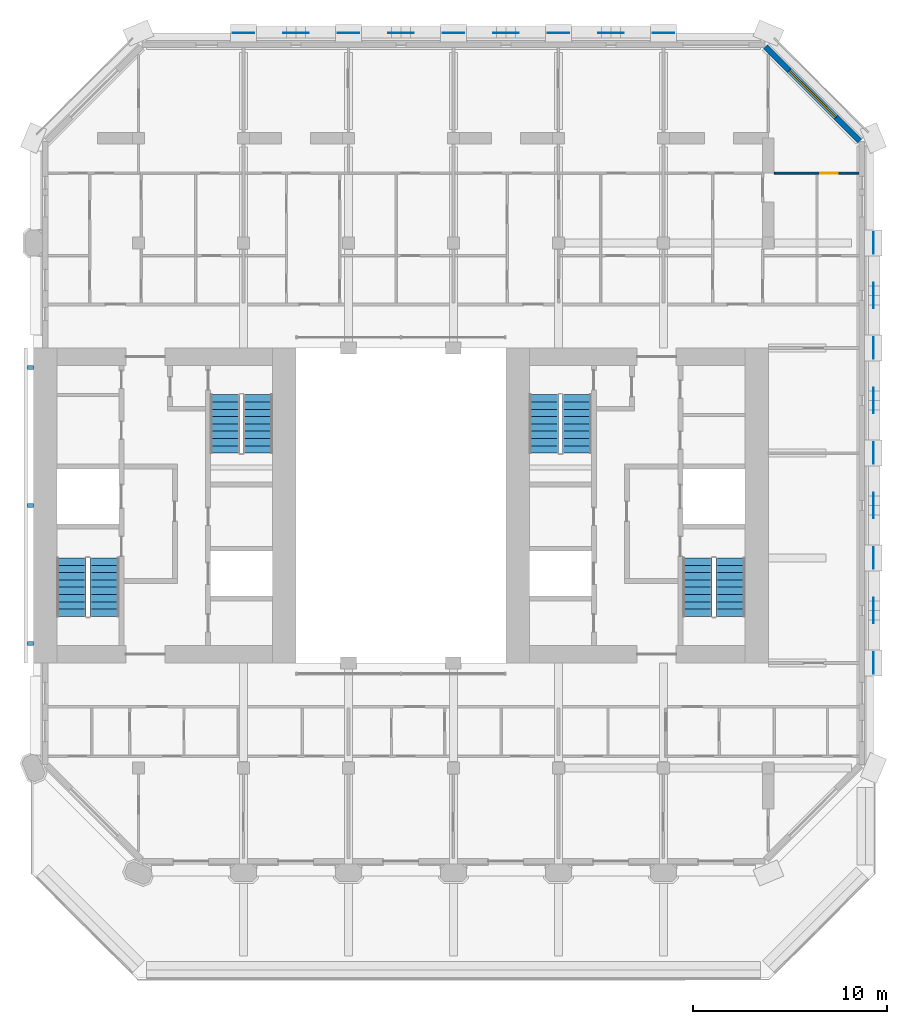
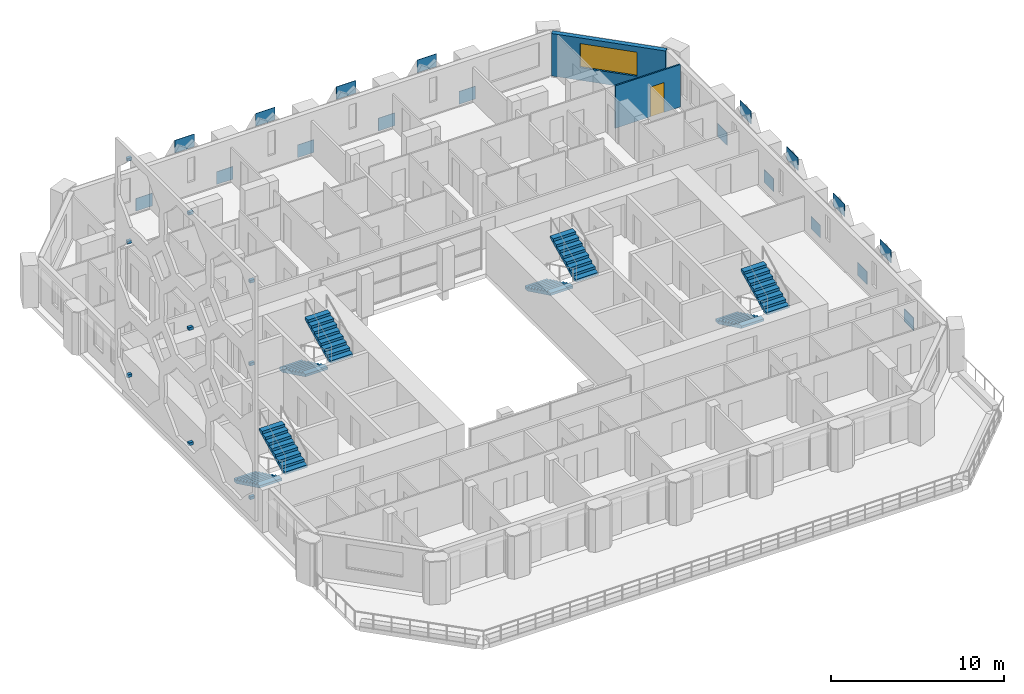
# One storey, part 14 of 17: 27 discrete accessories, 8 stair flights, 2 walls, 1 door, 1 window, 2 openings, 4 elements without a shape of their own.
"""IFC4 building model written with IfcOpenShell, lengths in metres."""

from ifc_helpers import new_model, si_unit, direction, frame, frame_2d, origin, origin_2d, place, context, subcontext, project, spatial, polyline, rectangle, outline, extrude, material, layer, layer_set, type_object, element, fill, aggregate, save


model = new_model("IFC4")

# Units and contexts
model_context = context("Model", 3, precision=1e-05, world=origin(), true_north=direction((0.0, 1.0)))
body_context = subcontext(model_context, "Body", "Model", "MODEL_VIEW")
ifc_project = project(units=[si_unit("LENGTHUNIT", "METRE"), si_unit("AREAUNIT", "SQUARE_METRE"), si_unit("VOLUMEUNIT", "CUBIC_METRE"), si_unit("PLANEANGLEUNIT", "RADIAN"), si_unit("MASSUNIT", "GRAM", prefix="KILO")], contexts=[model_context])

# Site, building, storey
site_placement = place(None, origin())
site = spatial("IfcSite", under=ifc_project, at=site_placement, CompositionType="ELEMENT")
building_placement = place(site_placement, origin())
building = spatial("IfcBuilding", under=site, at=building_placement, Name="Tabaq Tower and Sports Hall", CompositionType="ELEMENT")
storey_placement = place(building_placement, frame((0.0, 0.0, 288.39990234375)))
storey = spatial("IfcBuildingStorey", under=building, at=storey_placement, Name="L71", CompositionType="ELEMENT", Elevation=288.39990234375)

# Wall, opening, door
ifc_material_1 = material(Name="Gypsum board on steel studs", Category="steel")
ifc_layer_1 = layer(ifc_material_1, 0.10009765625)
ifc_layer_set_1 = layer_set([ifc_layer_1], Name="Partition 100 Gypsum board")
wall_type_1 = type_object("IfcWallType", Name="Partition 100 Gypsum board", PredefinedType="PARTITIONING", material=ifc_layer_set_1)
wall_1_placement = place(storey_placement, frame((43.5009765625, 41.39990234375, 0.0), z_axis=(0.0, 0.0, 1.0), x_axis=(1.0, 0.0, 0.0)))
wall_1 = element("IfcWall", 1, at=wall_1_placement, inside=storey, type_object=wall_type_1, Name="Partition wall L71", PredefinedType="PARTITIONING", context=body_context, shape_type="SweptSolid", body=[
    extrude(rectangle(XDim=4.34814453125, YDim=0.10009765625, at=frame_2d((2.174072265625, 0.0))), origin(), (0.0, 0.0, 1.0), 3.0),
])
opening_1_placement = place(wall_1_placement, frame((2.368896484375, 0.0, 0.0)))
opening_1 = element("IfcOpeningElement", 2, at=opening_1_placement, cuts=wall_1, Name="Opening L71-045", PredefinedType="OPENING", context=body_context, shape_type="SweptSolid", body=[
    extrude(rectangle(XDim=0.89990234375, YDim=2.10009765625, at=frame_2d((0.449951171875, 1.050048828125))), frame((0.0, 0.050048828125, 0.0), z_axis=(0.0, -1.0, 0.0), x_axis=(1.0, 0.0, 0.0)), (0.0, 0.0, 1.0), 0.10009765625),
])
ifc_material_2 = material(Name="Timber leaf in steel frame", Category="steel")
door_type = type_object("IfcDoorType", Name="Internal door 900 right hand", OperationType="SINGLE_SWING_RIGHT", PredefinedType="DOOR", material=ifc_material_2)
door_placement = place(opening_1_placement, origin())
door = element("IfcDoor", 3, at=door_placement, inside=storey, type_object=door_type, Name="Internal door L71-045", OperationType="SINGLE_SWING_RIGHT", OverallHeight=2.10009765625, OverallWidth=0.89990234375, PredefinedType="DOOR", context=body_context, shape_type="SweptSolid", body=[
    extrude(rectangle(XDim=0.89990234375, YDim=2.10009765625, at=frame_2d((0.449951171875, 1.050048828125))), frame((0.0, 0.02490234375, 0.0), z_axis=(0.0, -1.0, 0.0), x_axis=(1.0, 0.0, 0.0)), (0.0, 0.0, 1.0), 0.050048828125),
])
fill(opening_1, door)

# Wall, opening, window
ifc_material_3 = material(Name="White precast concrete C60/75", Category="concrete")
ifc_layer_2 = layer(ifc_material_3, 0.300048828125)
ifc_layer_set_2 = layer_set([ifc_layer_2], Name="White precast concrete C60/75 external wall 300")
wall_type_2 = type_object("IfcWallType", Name="White precast concrete C60/75 external wall 300", PredefinedType="SOLIDWALL", material=ifc_layer_set_2)
wall_2_placement = place(storey_placement, frame((47.901123046875, 43.050537109375, 0.0), z_axis=(0.0, 0.0, 1.0), x_axis=(-0.707106781187, 0.707106781187, 0.0)))
wall_2 = element("IfcWall", 4, at=wall_2_placement, inside=storey, type_object=wall_type_2, Name="External Wall L71 NE", PredefinedType="SOLIDWALL", context=body_context, shape_type="SweptSolid", body=[
    extrude(rectangle(XDim=6.85986328125, YDim=0.300048828125, at=frame_2d((3.429931640625, 0.0))), origin(), (0.0, 0.0, 1.0), 3.0),
])
opening_2_placement = place(wall_2_placement, frame((1.729736328125, 0.0, 0.89990234375)))
opening_2 = element("IfcOpeningElement", 5, at=opening_2_placement, cuts=wall_2, Name="Opening W1A", PredefinedType="OPENING", context=body_context, shape_type="SweptSolid", body=[
    extrude(rectangle(XDim=3.39990234375, YDim=1.699951171875, at=frame_2d((1.699951171875, 0.85009765625))), frame((0.0, 0.16015625, 0.0), z_axis=(0.0, -1.0, 0.0), x_axis=(1.0, 0.0, 0.0)), (0.0, 0.0, 1.0), 0.320068359375),
])
ifc_material_4 = material(Name="Aluminium framed clear glazing", Category="aluminium")
window_type = type_object("IfcWindowType", Name="Window W1A", PartitioningType="SINGLE_PANEL", PredefinedType="WINDOW", material=ifc_material_4)
window_placement = place(opening_2_placement, origin())
window = element("IfcWindow", 6, at=window_placement, inside=storey, type_object=window_type, Name="Window W1A L71", OverallHeight=1.699951171875, OverallWidth=3.39990234375, PartitioningType="SINGLE_PANEL", PredefinedType="WINDOW", context=body_context, shape_type="SweptSolid", body=[
    extrude(rectangle(XDim=3.39990234375, YDim=1.699951171875, at=frame_2d((1.699951171875, 0.85009765625))), frame((0.0, 0.030029296875, 0.0), z_axis=(0.0, -1.0, 0.0), x_axis=(1.0, 0.0, 0.0)), (0.0, 0.0, 1.0), 0.06005859375),
])
fill(opening_2, window)

# Stair, stair flights
ifc_material_5 = material(Name="Concrete C40/50", Category="concrete")
stair_type = type_object("IfcStairType", Name="Exit stair", PredefinedType="HALF_TURN_STAIR", material=ifc_material_5)
stair_1_placement = place(storey_placement, origin())
stair_1 = element("IfcStair", 7, at=stair_1_placement, inside=storey, type_object=stair_type, Name="L71 Exit stair ST1", PredefinedType="HALF_TURN_STAIR")
ifc_material_6 = material(Name="Concrete C40/50", Category="concrete")
stair_flight_type = type_object("IfcStairFlightType", Name="Exit stair flight", PredefinedType="STRAIGHT", material=ifc_material_6)
stair_flight_1_placement = place(storey_placement, frame((7.35009765625, 21.60009765625, 0.0), z_axis=(0.0, 0.0, 1.0), x_axis=(0.0, -1.0, 0.0)))
stair_flight_1 = element("IfcStairFlight", 8, at=stair_flight_1_placement, type_object=stair_flight_type, Name="ST1 flight 1", NumberOfRisers=9, NumberOfTreads=8, PredefinedType="STRAIGHT", RiserHeight=0.183333333, TreadLength=0.375, context=body_context, shape_type="SweptSolid", body=[
    extrude(outline(polyline([(0.0, 0.0), (0.0, 0.183349609375), (0.375, 0.183349609375), (0.375, 0.36669921875), (0.75, 0.36669921875), (0.75, 0.550048828125), (1.125, 0.550048828125), (1.125, 0.7333984375), (1.5, 0.7333984375), (1.5, 0.916748046875), (1.875, 0.916748046875), (1.875, 1.10009765625), (2.25, 1.10009765625), (2.25, 1.283447265625), (2.625, 1.283447265625), (2.625, 1.466552734375), (3.0, 1.466552734375), (3.0, 1.64990234375), (3.0, 1.2998046875), (0.34130859375, 0.0), (0.0, 0.0)])), frame((0.0, 0.75, 0.0), z_axis=(0.0, -1.0, 0.0), x_axis=(1.0, 0.0, 0.0)), (0.0, 0.0, 1.0), 1.5),
])
stair_flight_2_placement = place(storey_placement, frame((9.050048828125, 18.60009765625, 1.650146484375), z_axis=(0.0, 0.0, 1.0), x_axis=(0.0, 1.0, 0.0)))
stair_flight_2 = element("IfcStairFlight", 9, at=stair_flight_2_placement, type_object=stair_flight_type, Name="ST1 flight 2", NumberOfRisers=9, NumberOfTreads=8, PredefinedType="STRAIGHT", RiserHeight=0.183333333, TreadLength=0.375, context=body_context, shape_type="SweptSolid", body=[
    extrude(outline(polyline([(0.0, 0.0), (0.0, 0.183349609375), (0.375, 0.183349609375), (0.375, 0.36669921875), (0.75, 0.36669921875), (0.75, 0.550048828125), (1.125, 0.550048828125), (1.125, 0.7333984375), (1.5, 0.7333984375), (1.5, 0.916748046875), (1.875, 0.916748046875), (1.875, 1.10009765625), (2.25, 1.10009765625), (2.25, 1.283447265625), (2.625, 1.283447265625), (2.625, 1.466552734375), (3.0, 1.466552734375), (3.0, 1.64990234375), (3.0, 1.2998046875), (0.34130859375, 0.0), (0.0, 0.0)])), frame((0.0, 0.75, 0.0), z_axis=(0.0, -1.0, 0.0), x_axis=(1.0, 0.0, 0.0)), (0.0, 0.0, 1.0), 1.5),
])
aggregate(stair_1, [stair_flight_1, stair_flight_2])

stair_2_placement = place(storey_placement, origin())
stair_2 = element("IfcStair", 10, at=stair_2_placement, inside=storey, type_object=stair_type, Name="L71 Exit stair ST2", PredefinedType="HALF_TURN_STAIR")
stair_flight_3_placement = place(storey_placement, frame((15.25, 30.0, 0.0), z_axis=(0.0, 0.0, 1.0), x_axis=(0.0, -1.0, 0.0)))
stair_flight_3 = element("IfcStairFlight", 11, at=stair_flight_3_placement, type_object=stair_flight_type, Name="ST2 flight 1", NumberOfRisers=9, NumberOfTreads=8, PredefinedType="STRAIGHT", RiserHeight=0.183333333, TreadLength=0.375, context=body_context, shape_type="SweptSolid", body=[
    extrude(outline(polyline([(0.0, 0.0), (0.0, 0.183349609375), (0.375, 0.183349609375), (0.375, 0.36669921875), (0.75, 0.36669921875), (0.75, 0.550048828125), (1.125, 0.550048828125), (1.125, 0.7333984375), (1.5, 0.7333984375), (1.5, 0.916748046875), (1.875, 0.916748046875), (1.875, 1.10009765625), (2.25, 1.10009765625), (2.25, 1.283447265625), (2.625, 1.283447265625), (2.625, 1.466552734375), (3.0, 1.466552734375), (3.0, 1.64990234375), (3.0, 1.2998046875), (0.34130859375, 0.0), (0.0, 0.0)])), frame((0.0, 0.75, 0.0), z_axis=(0.0, -1.0, 0.0), x_axis=(1.0, 0.0, 0.0)), (0.0, 0.0, 1.0), 1.5),
])
stair_flight_4_placement = place(storey_placement, frame((16.949951171875, 27.0, 1.650146484375), z_axis=(0.0, 0.0, 1.0), x_axis=(0.0, 1.0, 0.0)))
stair_flight_4 = element("IfcStairFlight", 12, at=stair_flight_4_placement, type_object=stair_flight_type, Name="ST2 flight 2", NumberOfRisers=9, NumberOfTreads=8, PredefinedType="STRAIGHT", RiserHeight=0.183333333, TreadLength=0.375, context=body_context, shape_type="SweptSolid", body=[
    extrude(outline(polyline([(0.0, 0.0), (0.0, 0.183349609375), (0.375, 0.183349609375), (0.375, 0.36669921875), (0.75, 0.36669921875), (0.75, 0.550048828125), (1.125, 0.550048828125), (1.125, 0.7333984375), (1.5, 0.7333984375), (1.5, 0.916748046875), (1.875, 0.916748046875), (1.875, 1.10009765625), (2.25, 1.10009765625), (2.25, 1.283447265625), (2.625, 1.283447265625), (2.625, 1.466552734375), (3.0, 1.466552734375), (3.0, 1.64990234375), (3.0, 1.2998046875), (0.34130859375, 0.0), (0.0, 0.0)])), frame((0.0, 0.75, 0.0), z_axis=(0.0, -1.0, 0.0), x_axis=(1.0, 0.0, 0.0)), (0.0, 0.0, 1.0), 1.5),
])
aggregate(stair_2, [stair_flight_3, stair_flight_4])

stair_3_placement = place(storey_placement, origin())
stair_3 = element("IfcStair", 13, at=stair_3_placement, inside=storey, type_object=stair_type, Name="L71 Exit stair ST3", PredefinedType="HALF_TURN_STAIR")
stair_flight_5_placement = place(storey_placement, frame((39.550048828125, 21.60009765625, 0.0), z_axis=(0.0, 0.0, 1.0), x_axis=(0.0, -1.0, 0.0)))
stair_flight_5 = element("IfcStairFlight", 14, at=stair_flight_5_placement, type_object=stair_flight_type, Name="ST3 flight 1", NumberOfRisers=9, NumberOfTreads=8, PredefinedType="STRAIGHT", RiserHeight=0.183333333, TreadLength=0.375, context=body_context, shape_type="SweptSolid", body=[
    extrude(outline(polyline([(0.0, 0.0), (0.0, 0.183349609375), (0.375, 0.183349609375), (0.375, 0.36669921875), (0.75, 0.36669921875), (0.75, 0.550048828125), (1.125, 0.550048828125), (1.125, 0.7333984375), (1.5, 0.7333984375), (1.5, 0.916748046875), (1.875, 0.916748046875), (1.875, 1.10009765625), (2.25, 1.10009765625), (2.25, 1.283447265625), (2.625, 1.283447265625), (2.625, 1.466552734375), (3.0, 1.466552734375), (3.0, 1.64990234375), (3.0, 1.2998046875), (0.34130859375, 0.0), (0.0, 0.0)])), frame((0.0, 0.75, 0.0), z_axis=(0.0, -1.0, 0.0), x_axis=(1.0, 0.0, 0.0)), (0.0, 0.0, 1.0), 1.5),
])
stair_flight_6_placement = place(storey_placement, frame((41.25, 18.60009765625, 1.650146484375), z_axis=(0.0, 0.0, 1.0), x_axis=(0.0, 1.0, 0.0)))
stair_flight_6 = element("IfcStairFlight", 15, at=stair_flight_6_placement, type_object=stair_flight_type, Name="ST3 flight 2", NumberOfRisers=9, NumberOfTreads=8, PredefinedType="STRAIGHT", RiserHeight=0.183333333, TreadLength=0.375, context=body_context, shape_type="SweptSolid", body=[
    extrude(outline(polyline([(0.0, 0.0), (0.0, 0.183349609375), (0.375, 0.183349609375), (0.375, 0.36669921875), (0.75, 0.36669921875), (0.75, 0.550048828125), (1.125, 0.550048828125), (1.125, 0.7333984375), (1.5, 0.7333984375), (1.5, 0.916748046875), (1.875, 0.916748046875), (1.875, 1.10009765625), (2.25, 1.10009765625), (2.25, 1.283447265625), (2.625, 1.283447265625), (2.625, 1.466552734375), (3.0, 1.466552734375), (3.0, 1.64990234375), (3.0, 1.2998046875), (0.34130859375, 0.0), (0.0, 0.0)])), frame((0.0, 0.75, 0.0), z_axis=(0.0, -1.0, 0.0), x_axis=(1.0, 0.0, 0.0)), (0.0, 0.0, 1.0), 1.5),
])
aggregate(stair_3, [stair_flight_5, stair_flight_6])

stair_4_placement = place(storey_placement, origin())
stair_4 = element("IfcStair", 16, at=stair_4_placement, inside=storey, type_object=stair_type, Name="L71 Exit stair ST4", PredefinedType="HALF_TURN_STAIR")
stair_flight_7_placement = place(storey_placement, frame((31.64990234375, 30.0, 0.0), z_axis=(0.0, 0.0, 1.0), x_axis=(0.0, -1.0, 0.0)))
stair_flight_7 = element("IfcStairFlight", 17, at=stair_flight_7_placement, type_object=stair_flight_type, Name="ST4 flight 1", NumberOfRisers=9, NumberOfTreads=8, PredefinedType="STRAIGHT", RiserHeight=0.183333333, TreadLength=0.375, context=body_context, shape_type="SweptSolid", body=[
    extrude(outline(polyline([(0.0, 0.0), (0.0, 0.183349609375), (0.375, 0.183349609375), (0.375, 0.36669921875), (0.75, 0.36669921875), (0.75, 0.550048828125), (1.125, 0.550048828125), (1.125, 0.7333984375), (1.5, 0.7333984375), (1.5, 0.916748046875), (1.875, 0.916748046875), (1.875, 1.10009765625), (2.25, 1.10009765625), (2.25, 1.283447265625), (2.625, 1.283447265625), (2.625, 1.466552734375), (3.0, 1.466552734375), (3.0, 1.64990234375), (3.0, 1.2998046875), (0.34130859375, 0.0), (0.0, 0.0)])), frame((0.0, 0.75, 0.0), z_axis=(0.0, -1.0, 0.0), x_axis=(1.0, 0.0, 0.0)), (0.0, 0.0, 1.0), 1.5),
])
stair_flight_8_placement = place(storey_placement, frame((33.35009765625, 27.0, 1.650146484375), z_axis=(0.0, 0.0, 1.0), x_axis=(0.0, 1.0, 0.0)))
stair_flight_8 = element("IfcStairFlight", 18, at=stair_flight_8_placement, type_object=stair_flight_type, Name="ST4 flight 2", NumberOfRisers=9, NumberOfTreads=8, PredefinedType="STRAIGHT", RiserHeight=0.183333333, TreadLength=0.375, context=body_context, shape_type="SweptSolid", body=[
    extrude(outline(polyline([(0.0, 0.0), (0.0, 0.183349609375), (0.375, 0.183349609375), (0.375, 0.36669921875), (0.75, 0.36669921875), (0.75, 0.550048828125), (1.125, 0.550048828125), (1.125, 0.7333984375), (1.5, 0.7333984375), (1.5, 0.916748046875), (1.875, 0.916748046875), (1.875, 1.10009765625), (2.25, 1.10009765625), (2.25, 1.283447265625), (2.625, 1.283447265625), (2.625, 1.466552734375), (3.0, 1.466552734375), (3.0, 1.64990234375), (3.0, 1.2998046875), (0.34130859375, 0.0), (0.0, 0.0)])), frame((0.0, 0.75, 0.0), z_axis=(0.0, -1.0, 0.0), x_axis=(1.0, 0.0, 0.0)), (0.0, 0.0, 1.0), 1.5),
])
aggregate(stair_4, [stair_flight_7, stair_flight_8])

# Discrete accessories
ifc_material_7 = material(Name="Steel S355", Category="steel")
ifc_layer_3 = layer(ifc_material_7, 0.030029296875)
ifc_layer_set_3 = layer_set([ifc_layer_3], Name="TRANSFER BAND NODE PLATE 1100x900x30 S355")
discrete_accessory_type_1 = type_object("IfcDiscreteAccessoryType", Name="TRANSFER BAND NODE PLATE 1100x900x30 S355", PredefinedType="ANCHORPLATE", material=ifc_layer_set_3)
for number, where, z_axis, x_axis, name in (
    (19, (48.614990234375, 16.199951171875, -0.499755859375), (0.0, 0.0, 1.0), (0.0, 1.0, 0.0), "Transfer band node plate L71 East"),
    (20, (48.614990234375, 21.60009765625, -0.499755859375), (0.0, 0.0, 1.0), (0.0, 1.0, 0.0), "Transfer band node plate L71 East"),
    (21, (48.614990234375, 27.0, -0.499755859375), (0.0, 0.0, 1.0), (0.0, 1.0, 0.0), "Transfer band node plate L71 East"),
    (22, (48.614990234375, 32.39990234375, -0.499755859375), (0.0, 0.0, 1.0), (0.0, 1.0, 0.0), "Transfer band node plate L71 East"),
    (23, (48.614990234375, 37.800048828125, -0.499755859375), (0.0, 0.0, 1.0), (0.0, 1.0, 0.0), "Transfer band node plate L71 East"),
    (24, (16.199951171875, 48.614990234375, -0.499755859375), (0.0, 0.0, 1.0), (-1.0, 0.0, 0.0), "Transfer band node plate L71 North"),
    (25, (21.60009765625, 48.614990234375, -0.499755859375), (0.0, 0.0, 1.0), (-1.0, 0.0, 0.0), "Transfer band node plate L71 North"),
    (26, (27.0, 48.614990234375, -0.499755859375), (0.0, 0.0, 1.0), (-1.0, 0.0, 0.0), "Transfer band node plate L71 North"),
    (27, (32.39990234375, 48.614990234375, -0.499755859375), (0.0, 0.0, 1.0), (-1.0, 0.0, 0.0), "Transfer band node plate L71 North"),
    (28, (37.800048828125, 48.614990234375, -0.499755859375), (0.0, 0.0, 1.0), (-1.0, 0.0, 0.0), "Transfer band node plate L71 North"),
):
    element("IfcDiscreteAccessory", number, at=place(storey_placement, frame(where, z_axis=z_axis, x_axis=x_axis)), inside=storey, type_object=discrete_accessory_type_1, Name=name, PredefinedType="ANCHORPLATE", context=body_context, shape_type="SweptSolid", body=[
        extrude(rectangle(XDim=1.10009765625, YDim=0.030029296875, at=origin_2d()), origin(), (0.0, 0.0, 1.0), 0.89990234375),
    ])
ifc_material_8 = material(Name="Steel S355", Category="steel")
ifc_layer_4 = layer(ifc_material_8, 0.030029296875)
ifc_layer_set_4 = layer_set([ifc_layer_4], Name="TRANSFER BAND NODE PLATE 1300x900x30 S355")
discrete_accessory_type_2 = type_object("IfcDiscreteAccessoryType", Name="TRANSFER BAND NODE PLATE 1300x900x30 S355", PredefinedType="ANCHORPLATE", material=ifc_layer_set_4)
for number, where, z_axis, x_axis, name in (
    (29, (48.614990234375, 18.89990234375, 2.7001953125), (0.0, 0.0, 1.0), (0.0, 1.0, 0.0), "Transfer band node plate L71 East"),
    (30, (48.614990234375, 24.300048828125, 2.7001953125), (0.0, 0.0, 1.0), (0.0, 1.0, 0.0), "Transfer band node plate L71 East"),
    (31, (48.614990234375, 29.699951171875, 2.7001953125), (0.0, 0.0, 1.0), (0.0, 1.0, 0.0), "Transfer band node plate L71 East"),
    (32, (48.614990234375, 35.10009765625, 2.7001953125), (0.0, 0.0, 1.0), (0.0, 1.0, 0.0), "Transfer band node plate L71 East"),
    (33, (18.89990234375, 48.614990234375, 2.7001953125), (0.0, 0.0, 1.0), (-1.0, 0.0, 0.0), "Transfer band node plate L71 North"),
    (34, (24.300048828125, 48.614990234375, 2.7001953125), (0.0, 0.0, 1.0), (-1.0, 0.0, 0.0), "Transfer band node plate L71 North"),
    (35, (29.699951171875, 48.614990234375, 2.7001953125), (0.0, 0.0, 1.0), (-1.0, 0.0, 0.0), "Transfer band node plate L71 North"),
    (36, (35.10009765625, 48.614990234375, 2.7001953125), (0.0, 0.0, 1.0), (-1.0, 0.0, 0.0), "Transfer band node plate L71 North"),
):
    element("IfcDiscreteAccessory", number, at=place(storey_placement, frame(where, z_axis=z_axis, x_axis=x_axis)), inside=storey, type_object=discrete_accessory_type_2, Name=name, PredefinedType="ANCHORPLATE", context=body_context, shape_type="SweptSolid", body=[
        extrude(rectangle(XDim=1.300048828125, YDim=0.030029296875, at=origin_2d()), origin(), (0.0, 0.0, 1.0), 0.89990234375),
    ])
for number, where, z_axis, x_axis, name in (
    (37, (5.25, 31.39990234375, 1.89990234375), (0.0, 0.0, 1.0), (0.0, 1.0, 0.0), "Stainless steel bracket"),
    (38, (5.25, 31.39990234375, 11.35009765625), (0.0, 0.0, 1.0), (0.0, 1.0, 0.0), "Stainless steel bracket"),
    (39, (5.25, 31.39990234375, 17.2001953125), (0.0, 0.0, 1.0), (0.0, 1.0, 0.0), "Stainless steel bracket"),
    (40, (5.25, 24.300048828125, 1.39990234375), (0.0, 0.0, 1.0), (0.0, 1.0, 0.0), "Stainless steel bracket"),
    (41, (5.25, 24.300048828125, 9.55029296875), (0.0, 0.0, 1.0), (0.0, 1.0, 0.0), "Stainless steel bracket"),
    (42, (5.25, 24.300048828125, 17.7001953125), (0.0, 0.0, 1.0), (0.0, 1.0, 0.0), "Stainless steel bracket"),
    (43, (5.25, 17.199951171875, 1.89990234375), (0.0, 0.0, 1.0), (0.0, 1.0, 0.0), "Stainless steel bracket"),
    (44, (5.25, 17.199951171875, 11.35009765625), (0.0, 0.0, 1.0), (0.0, 1.0, 0.0), "Stainless steel bracket"),
    (45, (5.25, 17.199951171875, 17.2001953125), (0.0, 0.0, 1.0), (0.0, 1.0, 0.0), "Stainless steel bracket"),
):
    element("IfcDiscreteAccessory", number, at=place(storey_placement, frame(where, z_axis=z_axis, x_axis=x_axis)), inside=storey, Name=name, PredefinedType="BRACKET", context=body_context, shape_type="SweptSolid", body=[
        extrude(rectangle(XDim=0.199951171875, YDim=0.300048828125, at=origin_2d()), origin(), (0.0, 0.0, 1.0), 0.199951171875),
    ])

save(model, "model.ifc")
